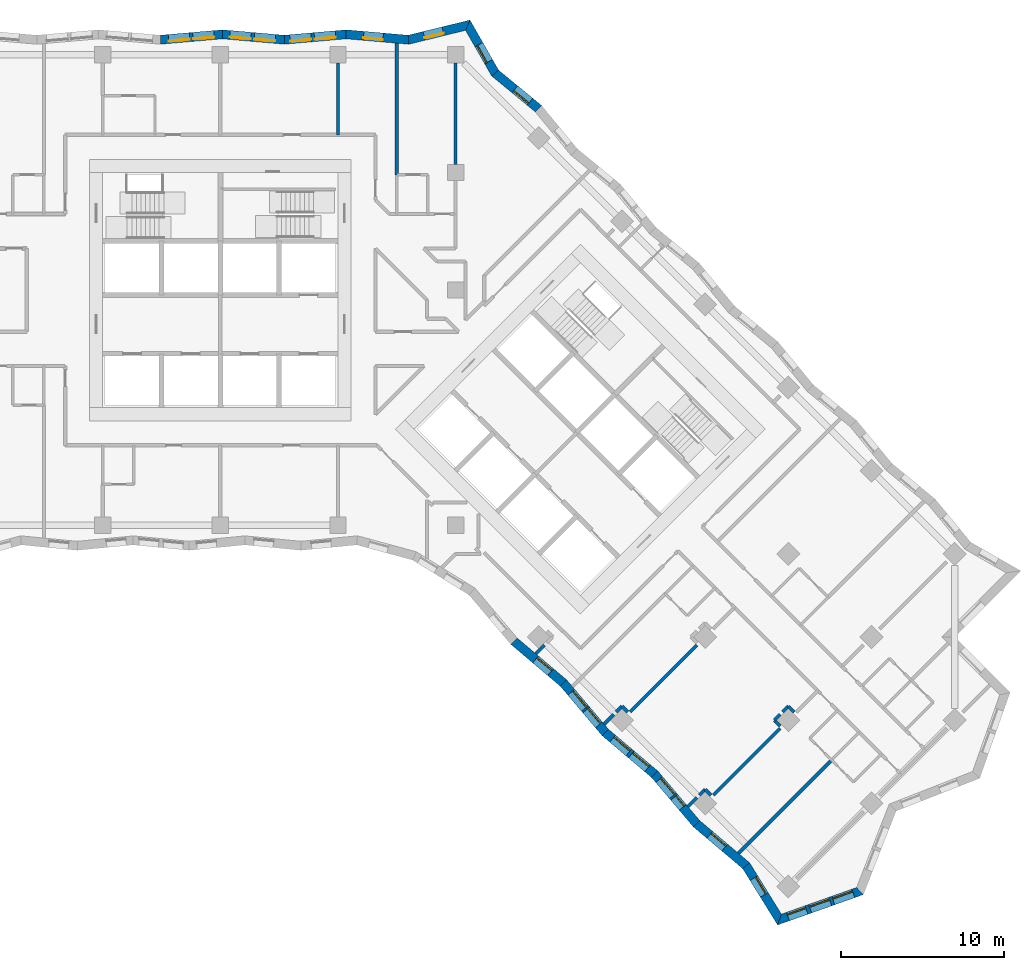
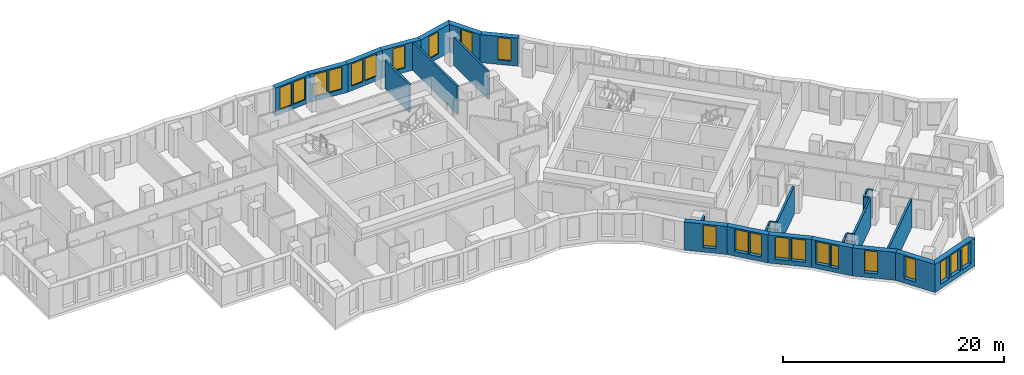
# One storey, part 7 of 12: 31 walls, 22 windows, 22 openings.
"""IFC4 building model written with IfcOpenShell, lengths in metres."""

from ifc_helpers import new_model, si_unit, direction, frame, frame_2d, origin, place, context, subcontext, project, spatial, polyline, rectangle, outline, extrude, material, layer, layer_set, type_object, element, fill, save


model = new_model("IFC4")

# Units and contexts
model_context = context("Model", 3, precision=1e-05, world=origin(), true_north=direction((0.0, 1.0)))
body_context = subcontext(model_context, "Body", "Model", "MODEL_VIEW")
ifc_project = project(units=[si_unit("LENGTHUNIT", "METRE"), si_unit("AREAUNIT", "SQUARE_METRE"), si_unit("VOLUMEUNIT", "CUBIC_METRE"), si_unit("PLANEANGLEUNIT", "RADIAN"), si_unit("MASSUNIT", "GRAM", prefix="KILO")], contexts=[model_context])

# Site, building, storey
site_placement = place(None, origin())
site = spatial("IfcSite", under=ifc_project, at=site_placement, CompositionType="ELEMENT")
building_placement = place(site_placement, origin())
building = spatial("IfcBuilding", under=site, at=building_placement, Name="Windrow Commons", CompositionType="ELEMENT")
storey_placement = place(building_placement, frame((0.0, 0.0, 84.6)))
storey = spatial("IfcBuildingStorey", under=building, at=storey_placement, Name="L22", CompositionType="ELEMENT", Elevation=84.6)

# Wall, openings, windows
ifc_material_1 = material(Name="Brick masonry, red clay brick", Category="masonry")
ifc_layer_1 = layer(ifc_material_1, 0.55)
ifc_layer_set_1 = layer_set([ifc_layer_1], Name="Brick facade wall 550")
wall_type_1 = type_object("IfcWallType", Name="Brick facade wall 550", PredefinedType="SOLIDWALL", material=ifc_layer_set_1)
wall_1_placement = place(storey_placement, frame((99.0243, 19.0669, 0.0), z_axis=(0.0, 0.0, 1.0), x_axis=(0.9426193246, 0.3338694489, 0.0)))
wall_1 = element("IfcWall", 1, at=wall_1_placement, inside=storey, type_object=wall_type_1, Name="Brick facade wall L22 1", PredefinedType="SOLIDWALL", context=body_context, shape_type="SweptSolid", body=[
    extrude(outline(polyline([(-0.2217, -0.275), (5.3537, -0.275), (5.1025, 0.275), (0.2217, 0.275), (-0.2217, -0.275)])), origin(), (0.0, 0.0, 1.0), 3.1),
])
opening_1_placement = place(wall_1_placement, frame((1.9931, 0.0, 0.5)))
opening_1 = element("IfcOpeningElement", 2, at=opening_1_placement, cuts=wall_1, Name="Opening W1P", PredefinedType="OPENING", context=body_context, shape_type="SweptSolid", body=[
    extrude(rectangle(XDim=1.3, YDim=2.45, at=frame_2d((0.65, 1.225))), frame((0.0, 0.285, 0.0), z_axis=(0.0, -1.0, 0.0), x_axis=(1.0, 0.0, 0.0)), (0.0, 0.0, 1.0), 0.57),
])
opening_2_placement = place(wall_1_placement, frame((3.4931, 0.0, 0.5)))
opening_2 = element("IfcOpeningElement", 3, at=opening_2_placement, cuts=wall_1, Name="Opening W1P", PredefinedType="OPENING", context=body_context, shape_type="SweptSolid", body=[
    extrude(rectangle(XDim=1.3, YDim=2.45, at=frame_2d((0.65, 1.225))), frame((0.0, 0.285, 0.0), z_axis=(0.0, -1.0, 0.0), x_axis=(1.0, 0.0, 0.0)), (0.0, 0.0, 1.0), 0.57),
])
opening_3_placement = place(wall_1_placement, frame((0.5528, 0.0, 0.5)))
opening_3 = element("IfcOpeningElement", 4, at=opening_3_placement, cuts=wall_1, Name="Opening W7D", PredefinedType="OPENING", context=body_context, shape_type="SweptSolid", body=[
    extrude(rectangle(XDim=1.2, YDim=2.45, at=frame_2d((0.6, 1.225))), frame((0.0, 0.285, 0.0), z_axis=(0.0, -1.0, 0.0), x_axis=(1.0, 0.0, 0.0)), (0.0, 0.0, 1.0), 0.57),
])
ifc_material_2 = material(Name="Clear float glass in anodised aluminium frame", Category="aluminium")
window_type_1 = type_object("IfcWindowType", Name="Window W1P pair 1300x2450", PartitioningType="SINGLE_PANEL", PredefinedType="WINDOW", material=ifc_material_2)
window_1_placement = place(opening_1_placement, origin())
window_1 = element("IfcWindow", 5, at=window_1_placement, inside=storey, type_object=window_type_1, Name="Window L22 1.1A", OverallHeight=2.45, OverallWidth=1.3, PartitioningType="SINGLE_PANEL", PredefinedType="WINDOW", context=body_context, shape_type="SweptSolid", body=[
    extrude(rectangle(XDim=1.3, YDim=2.45, at=frame_2d((0.65, 1.225))), frame((0.0, 0.155, 0.0), z_axis=(0.0, -1.0, 0.0), x_axis=(1.0, 0.0, 0.0)), (0.0, 0.0, 1.0), 0.06),
])
fill(opening_1, window_1)
window_2_placement = place(opening_2_placement, origin())
window_2 = element("IfcWindow", 6, at=window_2_placement, inside=storey, type_object=window_type_1, Name="Window L22 1.1B", OverallHeight=2.45, OverallWidth=1.3, PartitioningType="SINGLE_PANEL", PredefinedType="WINDOW", context=body_context, shape_type="SweptSolid", body=[
    extrude(rectangle(XDim=1.3, YDim=2.45, at=frame_2d((0.65, 1.225))), frame((0.0, 0.155, 0.0), z_axis=(0.0, -1.0, 0.0), x_axis=(1.0, 0.0, 0.0)), (0.0, 0.0, 1.0), 0.06),
])
fill(opening_2, window_2)
ifc_material_3 = material(Name="Clear float glass in anodised aluminium frame", Category="aluminium")
window_type_2 = type_object("IfcWindowType", Name="Window W7 notch 1200x2450", PartitioningType="SINGLE_PANEL", PredefinedType="WINDOW", material=ifc_material_3)
window_3_placement = place(opening_3_placement, origin())
window_3 = element("IfcWindow", 7, at=window_3_placement, inside=storey, type_object=window_type_2, Name="Window L22 1.2", OverallHeight=2.45, OverallWidth=1.2, PartitioningType="SINGLE_PANEL", PredefinedType="WINDOW", context=body_context, shape_type="SweptSolid", body=[
    extrude(rectangle(XDim=1.2, YDim=2.45, at=frame_2d((0.6, 1.225))), frame((0.0, 0.155, 0.0), z_axis=(0.0, -1.0, 0.0), x_axis=(1.0, 0.0, 0.0)), (0.0, 0.0, 1.0), 0.06),
])
fill(opening_3, window_3)

# Wall, opening, window
wall_2_placement = place(storey_placement, frame((84.2793, 68.6937, 0.0), z_axis=(0.0, 0.0, 1.0), x_axis=(-0.7719972497, 0.6356258698, 0.0)))
wall_2 = element("IfcWall", 8, at=wall_2_placement, inside=storey, type_object=wall_type_1, Name="Brick facade wall L22 19", PredefinedType="SOLIDWALL", context=body_context, shape_type="SweptSolid", body=[
    extrude(outline(polyline([(-0.0266, -0.275), (3.3952, -0.275), (3.4962, 0.275), (0.0266, 0.275), (-0.0266, -0.275)])), origin(), (0.0, 0.0, 1.0), 3.1),
])
opening_4_placement = place(wall_2_placement, frame((0.6835, 0.0, 0.5)))
opening_4 = element("IfcOpeningElement", 9, at=opening_4_placement, cuts=wall_2, Name="Opening W7D", PredefinedType="OPENING", context=body_context, shape_type="SweptSolid", body=[
    extrude(rectangle(XDim=1.2, YDim=2.45, at=frame_2d((0.6, 1.225))), frame((0.0, 0.285, 0.0), z_axis=(0.0, -1.0, 0.0), x_axis=(1.0, 0.0, 0.0)), (0.0, 0.0, 1.0), 0.57),
])
window_4_placement = place(opening_4_placement, origin())
window_4 = element("IfcWindow", 10, at=window_4_placement, inside=storey, type_object=window_type_2, Name="Window L22 19.1", OverallHeight=2.45, OverallWidth=1.2, PartitioningType="SINGLE_PANEL", PredefinedType="WINDOW", context=body_context, shape_type="SweptSolid", body=[
    extrude(rectangle(XDim=1.2, YDim=2.45, at=frame_2d((0.6, 1.225))), frame((0.0, 0.155, 0.0), z_axis=(0.0, -1.0, 0.0), x_axis=(1.0, 0.0, 0.0)), (0.0, 0.0, 1.0), 0.06),
])
fill(opening_4, window_4)

wall_3_placement = place(storey_placement, frame((81.6192, 70.8839, 0.0), z_axis=(0.0, 0.0, 1.0), x_axis=(-0.4958579937, 0.8684036217, 0.0)))
wall_3 = element("IfcWall", 11, at=wall_3_placement, inside=storey, type_object=wall_type_1, Name="Brick facade wall L22 20", PredefinedType="SOLIDWALL", context=body_context, shape_type="SweptSolid", body=[
    extrude(outline(polyline([(0.0505, -0.275), (3.5811, -0.275), (3.1661, 0.275), (-0.0505, 0.275), (0.0505, -0.275)])), origin(), (0.0, 0.0, 1.0), 3.1),
])
opening_5_placement = place(wall_3_placement, frame((0.7957, 0.0, 0.5)))
opening_5 = element("IfcOpeningElement", 12, at=opening_5_placement, cuts=wall_3, Name="Opening W7D", PredefinedType="OPENING", context=body_context, shape_type="SweptSolid", body=[
    extrude(rectangle(XDim=1.2, YDim=2.45, at=frame_2d((0.6, 1.225))), frame((0.0, 0.285, 0.0), z_axis=(0.0, -1.0, 0.0), x_axis=(1.0, 0.0, 0.0)), (0.0, 0.0, 1.0), 0.57),
])
window_5_placement = place(opening_5_placement, origin())
window_5 = element("IfcWindow", 13, at=window_5_placement, inside=storey, type_object=window_type_2, Name="Window L22 20.1", OverallHeight=2.45, OverallWidth=1.2, PartitioningType="SINGLE_PANEL", PredefinedType="WINDOW", context=body_context, shape_type="SweptSolid", body=[
    extrude(rectangle(XDim=1.2, YDim=2.45, at=frame_2d((0.6, 1.225))), frame((0.0, 0.155, 0.0), z_axis=(0.0, -1.0, 0.0), x_axis=(1.0, 0.0, 0.0)), (0.0, 0.0, 1.0), 0.06),
])
fill(opening_5, window_5)

wall_4_placement = place(storey_placement, frame((79.9464, 73.8135, 0.0), z_axis=(0.0, 0.0, 1.0), x_axis=(-0.9711611998, -0.2384238325, 0.0)))
wall_4 = element("IfcWall", 14, at=wall_4_placement, inside=storey, type_object=wall_type_1, Name="Brick facade wall L22 21", PredefinedType="SOLIDWALL", context=body_context, shape_type="SweptSolid", body=[
    extrude(outline(polyline([(-0.2075, -0.275), (3.6933, -0.275), (3.7842, 0.275), (0.2075, 0.275), (-0.2075, -0.275)])), origin(), (0.0, 0.0, 1.0), 3.1),
])
opening_6_placement = place(wall_4_placement, frame((1.5536, 0.0, 0.5)))
opening_6 = element("IfcOpeningElement", 15, at=opening_6_placement, cuts=wall_4, Name="Opening W7D", PredefinedType="OPENING", context=body_context, shape_type="SweptSolid", body=[
    extrude(rectangle(XDim=1.2, YDim=2.45, at=frame_2d((0.6, 1.225))), frame((0.0, 0.285, 0.0), z_axis=(0.0, -1.0, 0.0), x_axis=(1.0, 0.0, 0.0)), (0.0, 0.0, 1.0), 0.57),
])
window_6_placement = place(opening_6_placement, origin())
window_6 = element("IfcWindow", 16, at=window_6_placement, inside=storey, type_object=window_type_2, Name="Window L22 21.1", OverallHeight=2.45, OverallWidth=1.2, PartitioningType="SINGLE_PANEL", PredefinedType="WINDOW", context=body_context, shape_type="SweptSolid", body=[
    extrude(rectangle(XDim=1.2, YDim=2.45, at=frame_2d((0.6, 1.225))), frame((0.0, 0.155, 0.0), z_axis=(0.0, -1.0, 0.0), x_axis=(1.0, 0.0, 0.0)), (0.0, 0.0, 1.0), 0.06),
])
fill(opening_6, window_6)

wall_5_placement = place(storey_placement, frame((76.3155, 72.9221, 0.0), z_axis=(0.0, 0.0, 1.0), x_axis=(-0.9962265436, 0.0867909782, 0.0)))
wall_5 = element("IfcWall", 17, at=wall_5_placement, inside=storey, type_object=wall_type_1, Name="Brick facade wall L22 22", PredefinedType="SOLIDWALL", context=body_context, shape_type="SweptSolid", body=[
    extrude(outline(polyline([(0.0455, -0.275), (3.8481, -0.275), (3.8002, 0.275), (-0.0455, 0.275), (0.0455, -0.275)])), origin(), (0.0, 0.0, 1.0), 3.1),
])
opening_7_placement = place(wall_5_placement, frame((1.5592, 0.0, 0.5)))
opening_7 = element("IfcOpeningElement", 18, at=opening_7_placement, cuts=wall_5, Name="Opening W7D", PredefinedType="OPENING", context=body_context, shape_type="SweptSolid", body=[
    extrude(rectangle(XDim=1.2, YDim=2.45, at=frame_2d((0.6, 1.225))), frame((0.0, 0.285, 0.0), z_axis=(0.0, -1.0, 0.0), x_axis=(1.0, 0.0, 0.0)), (0.0, 0.0, 1.0), 0.57),
])
window_7_placement = place(opening_7_placement, origin())
window_7 = element("IfcWindow", 19, at=window_7_placement, inside=storey, type_object=window_type_2, Name="Window L22 22.1", OverallHeight=2.45, OverallWidth=1.2, PartitioningType="SINGLE_PANEL", PredefinedType="WINDOW", context=body_context, shape_type="SweptSolid", body=[
    extrude(rectangle(XDim=1.2, YDim=2.45, at=frame_2d((0.6, 1.225))), frame((0.0, 0.155, 0.0), z_axis=(0.0, -1.0, 0.0), x_axis=(1.0, 0.0, 0.0)), (0.0, 0.0, 1.0), 0.06),
])
fill(opening_7, window_7)

# Wall, openings, windows
wall_6_placement = place(storey_placement, frame((72.5058, 73.254, 0.0), z_axis=(0.0, 0.0, 1.0), x_axis=(-0.9962273538, -0.0867816769, 0.0)))
wall_6 = element("IfcWall", 20, at=wall_6_placement, inside=storey, type_object=wall_type_1, Name="Brick facade wall L22 23", PredefinedType="SOLIDWALL", context=body_context, shape_type="SweptSolid", body=[
    extrude(outline(polyline([(-0.024, -0.275), (3.7787, -0.275), (3.8266, 0.275), (0.024, 0.275), (-0.024, -0.275)])), origin(), (0.0, 0.0, 1.0), 3.1),
])
opening_8_placement = place(wall_6_placement, frame((0.6552, 0.0, 0.5)))
opening_8 = element("IfcOpeningElement", 21, at=opening_8_placement, cuts=wall_6, Name="Opening W1P", PredefinedType="OPENING", context=body_context, shape_type="SweptSolid", body=[
    extrude(rectangle(XDim=1.3, YDim=2.45, at=frame_2d((0.65, 1.225))), frame((0.0, 0.285, 0.0), z_axis=(0.0, -1.0, 0.0), x_axis=(1.0, 0.0, 0.0)), (0.0, 0.0, 1.0), 0.57),
])
opening_9_placement = place(wall_6_placement, frame((2.1552, 0.0, 0.5)))
opening_9 = element("IfcOpeningElement", 22, at=opening_9_placement, cuts=wall_6, Name="Opening W1P", PredefinedType="OPENING", context=body_context, shape_type="SweptSolid", body=[
    extrude(rectangle(XDim=1.3, YDim=2.45, at=frame_2d((0.65, 1.225))), frame((0.0, 0.285, 0.0), z_axis=(0.0, -1.0, 0.0), x_axis=(1.0, 0.0, 0.0)), (0.0, 0.0, 1.0), 0.57),
])
window_8_placement = place(opening_8_placement, origin())
window_8 = element("IfcWindow", 23, at=window_8_placement, inside=storey, type_object=window_type_1, Name="Window L22 23.1A", OverallHeight=2.45, OverallWidth=1.3, PartitioningType="SINGLE_PANEL", PredefinedType="WINDOW", context=body_context, shape_type="SweptSolid", body=[
    extrude(rectangle(XDim=1.3, YDim=2.45, at=frame_2d((0.65, 1.225))), frame((0.0, 0.155, 0.0), z_axis=(0.0, -1.0, 0.0), x_axis=(1.0, 0.0, 0.0)), (0.0, 0.0, 1.0), 0.06),
])
fill(opening_8, window_8)
window_9_placement = place(opening_9_placement, origin())
window_9 = element("IfcWindow", 24, at=window_9_placement, inside=storey, type_object=window_type_1, Name="Window L22 23.1B", OverallHeight=2.45, OverallWidth=1.3, PartitioningType="SINGLE_PANEL", PredefinedType="WINDOW", context=body_context, shape_type="SweptSolid", body=[
    extrude(rectangle(XDim=1.3, YDim=2.45, at=frame_2d((0.65, 1.225))), frame((0.0, 0.155, 0.0), z_axis=(0.0, -1.0, 0.0), x_axis=(1.0, 0.0, 0.0)), (0.0, 0.0, 1.0), 0.06),
])
fill(opening_9, window_9)

wall_7_placement = place(storey_placement, frame((68.7175, 72.924, 0.0), z_axis=(0.0, 0.0, 1.0), x_axis=(-0.9962273538, 0.0867816769, 0.0)))
wall_7 = element("IfcWall", 25, at=wall_7_placement, inside=storey, type_object=wall_type_1, Name="Brick facade wall L22 24", PredefinedType="SOLIDWALL", context=body_context, shape_type="SweptSolid", body=[
    extrude(outline(polyline([(0.024, -0.275), (3.8266, -0.275), (3.7787, 0.275), (-0.024, 0.275), (0.024, -0.275)])), origin(), (0.0, 0.0, 1.0), 3.1),
])
opening_10_placement = place(wall_7_placement, frame((0.5487, 0.0, 0.5)))
opening_10 = element("IfcOpeningElement", 26, at=opening_10_placement, cuts=wall_7, Name="Opening W1P", PredefinedType="OPENING", context=body_context, shape_type="SweptSolid", body=[
    extrude(rectangle(XDim=1.3, YDim=2.45, at=frame_2d((0.65, 1.225))), frame((0.0, 0.285, 0.0), z_axis=(0.0, -1.0, 0.0), x_axis=(1.0, 0.0, 0.0)), (0.0, 0.0, 1.0), 0.57),
])
opening_11_placement = place(wall_7_placement, frame((2.0487, 0.0, 0.5)))
opening_11 = element("IfcOpeningElement", 27, at=opening_11_placement, cuts=wall_7, Name="Opening W1P", PredefinedType="OPENING", context=body_context, shape_type="SweptSolid", body=[
    extrude(rectangle(XDim=1.3, YDim=2.45, at=frame_2d((0.65, 1.225))), frame((0.0, 0.285, 0.0), z_axis=(0.0, -1.0, 0.0), x_axis=(1.0, 0.0, 0.0)), (0.0, 0.0, 1.0), 0.57),
])
window_10_placement = place(opening_10_placement, origin())
window_10 = element("IfcWindow", 28, at=window_10_placement, inside=storey, type_object=window_type_1, Name="Window L22 24.1A", OverallHeight=2.45, OverallWidth=1.3, PartitioningType="SINGLE_PANEL", PredefinedType="WINDOW", context=body_context, shape_type="SweptSolid", body=[
    extrude(rectangle(XDim=1.3, YDim=2.45, at=frame_2d((0.65, 1.225))), frame((0.0, 0.155, 0.0), z_axis=(0.0, -1.0, 0.0), x_axis=(1.0, 0.0, 0.0)), (0.0, 0.0, 1.0), 0.06),
])
fill(opening_10, window_10)
window_11_placement = place(opening_11_placement, origin())
window_11 = element("IfcWindow", 29, at=window_11_placement, inside=storey, type_object=window_type_1, Name="Window L22 24.1B", OverallHeight=2.45, OverallWidth=1.3, PartitioningType="SINGLE_PANEL", PredefinedType="WINDOW", context=body_context, shape_type="SweptSolid", body=[
    extrude(rectangle(XDim=1.3, YDim=2.45, at=frame_2d((0.65, 1.225))), frame((0.0, 0.155, 0.0), z_axis=(0.0, -1.0, 0.0), x_axis=(1.0, 0.0, 0.0)), (0.0, 0.0, 1.0), 0.06),
])
fill(opening_11, window_11)

wall_8_placement = place(storey_placement, frame((64.9292, 73.254, 0.0), z_axis=(0.0, 0.0, 1.0), x_axis=(-0.9962271558, -0.0867839505, 0.0)))
wall_8 = element("IfcWall", 30, at=wall_8_placement, inside=storey, type_object=wall_type_1, Name="Brick facade wall L22 25", PredefinedType="SOLIDWALL", context=body_context, shape_type="SweptSolid", body=[
    extrude(outline(polyline([(-0.024, -0.275), (3.7787, -0.275), (3.8266, 0.275), (0.024, 0.275), (-0.024, -0.275)])), origin(), (0.0, 0.0, 1.0), 3.1),
])
opening_12_placement = place(wall_8_placement, frame((0.5133, 0.0, 0.5)))
opening_12 = element("IfcOpeningElement", 31, at=opening_12_placement, cuts=wall_8, Name="Opening W1P", PredefinedType="OPENING", context=body_context, shape_type="SweptSolid", body=[
    extrude(rectangle(XDim=1.3, YDim=2.45, at=frame_2d((0.65, 1.225))), frame((0.0, 0.285, 0.0), z_axis=(0.0, -1.0, 0.0), x_axis=(1.0, 0.0, 0.0)), (0.0, 0.0, 1.0), 0.57),
])
opening_13_placement = place(wall_8_placement, frame((2.0133, 0.0, 0.5)))
opening_13 = element("IfcOpeningElement", 32, at=opening_13_placement, cuts=wall_8, Name="Opening W1P", PredefinedType="OPENING", context=body_context, shape_type="SweptSolid", body=[
    extrude(rectangle(XDim=1.3, YDim=2.45, at=frame_2d((0.65, 1.225))), frame((0.0, 0.285, 0.0), z_axis=(0.0, -1.0, 0.0), x_axis=(1.0, 0.0, 0.0)), (0.0, 0.0, 1.0), 0.57),
])
window_12_placement = place(opening_12_placement, origin())
window_12 = element("IfcWindow", 33, at=window_12_placement, inside=storey, type_object=window_type_1, Name="Window L22 25.1A", OverallHeight=2.45, OverallWidth=1.3, PartitioningType="SINGLE_PANEL", PredefinedType="WINDOW", context=body_context, shape_type="SweptSolid", body=[
    extrude(rectangle(XDim=1.3, YDim=2.45, at=frame_2d((0.65, 1.225))), frame((0.0, 0.155, 0.0), z_axis=(0.0, -1.0, 0.0), x_axis=(1.0, 0.0, 0.0)), (0.0, 0.0, 1.0), 0.06),
])
fill(opening_12, window_12)
window_13_placement = place(opening_13_placement, origin())
window_13 = element("IfcWindow", 34, at=window_13_placement, inside=storey, type_object=window_type_1, Name="Window L22 25.1B", OverallHeight=2.45, OverallWidth=1.3, PartitioningType="SINGLE_PANEL", PredefinedType="WINDOW", context=body_context, shape_type="SweptSolid", body=[
    extrude(rectangle(XDim=1.3, YDim=2.45, at=frame_2d((0.65, 1.225))), frame((0.0, 0.155, 0.0), z_axis=(0.0, -1.0, 0.0), x_axis=(1.0, 0.0, 0.0)), (0.0, 0.0, 1.0), 0.06),
])
fill(opening_13, window_13)

# Wall, opening, window
wall_9_placement = place(storey_placement, frame((82.7742, 36.1053, 0.0), z_axis=(0.0, 0.0, 1.0), x_axis=(0.7635423019, -0.6457578131, 0.0)))
wall_9 = element("IfcWall", 35, at=wall_9_placement, inside=storey, type_object=wall_type_1, Name="Brick facade wall L22 54", PredefinedType="SOLIDWALL", context=body_context, shape_type="SweptSolid", body=[
    extrude(outline(polyline([(-0.023, -0.275), (3.9393, -0.275), (3.9853, 0.275), (0.023, 0.275), (-0.023, -0.275)])), origin(), (0.0, 0.0, 1.0), 3.1),
])
opening_14_placement = place(wall_9_placement, frame((1.7284, 0.0, 0.5)))
opening_14 = element("IfcOpeningElement", 36, at=opening_14_placement, cuts=wall_9, Name="Opening W7D", PredefinedType="OPENING", context=body_context, shape_type="SweptSolid", body=[
    extrude(rectangle(XDim=1.2, YDim=2.45, at=frame_2d((0.6, 1.225))), frame((0.0, 0.285, 0.0), z_axis=(0.0, -1.0, 0.0), x_axis=(1.0, 0.0, 0.0)), (0.0, 0.0, 1.0), 0.57),
])
window_14_placement = place(opening_14_placement, origin())
window_14 = element("IfcWindow", 37, at=window_14_placement, inside=storey, type_object=window_type_2, Name="Window L22 54.1", OverallHeight=2.45, OverallWidth=1.2, PartitioningType="SINGLE_PANEL", PredefinedType="WINDOW", context=body_context, shape_type="SweptSolid", body=[
    extrude(rectangle(XDim=1.2, YDim=2.45, at=frame_2d((0.6, 1.225))), frame((0.0, 0.155, 0.0), z_axis=(0.0, -1.0, 0.0), x_axis=(1.0, 0.0, 0.0)), (0.0, 0.0, 1.0), 0.06),
])
fill(opening_14, window_14)

# Wall, openings, windows
wall_10_placement = place(storey_placement, frame((85.7996, 33.5466, 0.0), z_axis=(0.0, 0.0, 1.0), x_axis=(0.6457578131, -0.7635423019, 0.0)))
wall_10 = element("IfcWall", 38, at=wall_10_placement, inside=storey, type_object=wall_type_1, Name="Brick facade wall L22 55", PredefinedType="SOLIDWALL", context=body_context, shape_type="SweptSolid", body=[
    extrude(outline(polyline([(0.023, -0.275), (3.9853, -0.275), (3.9393, 0.275), (-0.023, 0.275), (0.023, -0.275)])), origin(), (0.0, 0.0, 1.0), 3.1),
])
opening_15_placement = place(wall_10_placement, frame((0.742, 0.0, 0.5)))
opening_15 = element("IfcOpeningElement", 39, at=opening_15_placement, cuts=wall_10, Name="Opening W1P", PredefinedType="OPENING", context=body_context, shape_type="SweptSolid", body=[
    extrude(rectangle(XDim=1.3, YDim=2.45, at=frame_2d((0.65, 1.225))), frame((0.0, 0.285, 0.0), z_axis=(0.0, -1.0, 0.0), x_axis=(1.0, 0.0, 0.0)), (0.0, 0.0, 1.0), 0.57),
])
opening_16_placement = place(wall_10_placement, frame((2.1615, 0.0, 0.5)))
opening_16 = element("IfcOpeningElement", 40, at=opening_16_placement, cuts=wall_10, Name="Opening W7D", PredefinedType="OPENING", context=body_context, shape_type="SweptSolid", body=[
    extrude(rectangle(XDim=1.2, YDim=2.45, at=frame_2d((0.6, 1.225))), frame((0.0, 0.285, 0.0), z_axis=(0.0, -1.0, 0.0), x_axis=(1.0, 0.0, 0.0)), (0.0, 0.0, 1.0), 0.57),
])
window_15_placement = place(opening_15_placement, origin())
window_15 = element("IfcWindow", 41, at=window_15_placement, inside=storey, type_object=window_type_1, Name="Window L22 55.1A", OverallHeight=2.45, OverallWidth=1.3, PartitioningType="SINGLE_PANEL", PredefinedType="WINDOW", context=body_context, shape_type="SweptSolid", body=[
    extrude(rectangle(XDim=1.3, YDim=2.45, at=frame_2d((0.65, 1.225))), frame((0.0, 0.155, 0.0), z_axis=(0.0, -1.0, 0.0), x_axis=(1.0, 0.0, 0.0)), (0.0, 0.0, 1.0), 0.06),
])
fill(opening_15, window_15)
window_16_placement = place(opening_16_placement, origin())
window_16 = element("IfcWindow", 42, at=window_16_placement, inside=storey, type_object=window_type_2, Name="Window L22 55.1BA", OverallHeight=2.45, OverallWidth=1.2, PartitioningType="SINGLE_PANEL", PredefinedType="WINDOW", context=body_context, shape_type="SweptSolid", body=[
    extrude(rectangle(XDim=1.2, YDim=2.45, at=frame_2d((0.6, 1.225))), frame((0.0, 0.155, 0.0), z_axis=(0.0, -1.0, 0.0), x_axis=(1.0, 0.0, 0.0)), (0.0, 0.0, 1.0), 0.06),
])
fill(opening_16, window_16)

wall_11_placement = place(storey_placement, frame((88.3583, 30.5212, 0.0), z_axis=(0.0, 0.0, 1.0), x_axis=(0.7635547458, -0.6457430993, 0.0)))
wall_11 = element("IfcWall", 43, at=wall_11_placement, inside=storey, type_object=wall_type_1, Name="Brick facade wall L22 56", PredefinedType="SOLIDWALL", context=body_context, shape_type="SweptSolid", body=[
    extrude(outline(polyline([(-0.023, -0.275), (3.9393, -0.275), (3.9853, 0.275), (0.023, 0.275), (-0.023, -0.275)])), origin(), (0.0, 0.0, 1.0), 3.1),
])
opening_17_placement = place(wall_11_placement, frame((0.5926, 0.0, 0.5)))
opening_17 = element("IfcOpeningElement", 44, at=opening_17_placement, cuts=wall_11, Name="Opening W1P", PredefinedType="OPENING", context=body_context, shape_type="SweptSolid", body=[
    extrude(rectangle(XDim=1.3, YDim=2.45, at=frame_2d((0.65, 1.225))), frame((0.0, 0.285, 0.0), z_axis=(0.0, -1.0, 0.0), x_axis=(1.0, 0.0, 0.0)), (0.0, 0.0, 1.0), 0.57),
])
opening_18_placement = place(wall_11_placement, frame((2.0926, 0.0, 0.5)))
opening_18 = element("IfcOpeningElement", 45, at=opening_18_placement, cuts=wall_11, Name="Opening W1P", PredefinedType="OPENING", context=body_context, shape_type="SweptSolid", body=[
    extrude(rectangle(XDim=1.3, YDim=2.45, at=frame_2d((0.65, 1.225))), frame((0.0, 0.285, 0.0), z_axis=(0.0, -1.0, 0.0), x_axis=(1.0, 0.0, 0.0)), (0.0, 0.0, 1.0), 0.57),
])
window_17_placement = place(opening_17_placement, origin())
window_17 = element("IfcWindow", 46, at=window_17_placement, inside=storey, type_object=window_type_1, Name="Window L22 56.1A", OverallHeight=2.45, OverallWidth=1.3, PartitioningType="SINGLE_PANEL", PredefinedType="WINDOW", context=body_context, shape_type="SweptSolid", body=[
    extrude(rectangle(XDim=1.3, YDim=2.45, at=frame_2d((0.65, 1.225))), frame((0.0, 0.155, 0.0), z_axis=(0.0, -1.0, 0.0), x_axis=(1.0, 0.0, 0.0)), (0.0, 0.0, 1.0), 0.06),
])
fill(opening_17, window_17)
window_18_placement = place(opening_18_placement, origin())
window_18 = element("IfcWindow", 47, at=window_18_placement, inside=storey, type_object=window_type_1, Name="Window L22 56.1B", OverallHeight=2.45, OverallWidth=1.3, PartitioningType="SINGLE_PANEL", PredefinedType="WINDOW", context=body_context, shape_type="SweptSolid", body=[
    extrude(rectangle(XDim=1.3, YDim=2.45, at=frame_2d((0.65, 1.225))), frame((0.0, 0.155, 0.0), z_axis=(0.0, -1.0, 0.0), x_axis=(1.0, 0.0, 0.0)), (0.0, 0.0, 1.0), 0.06),
])
fill(opening_18, window_18)

wall_12_placement = place(storey_placement, frame((91.3837, 27.9626, 0.0), z_axis=(0.0, 0.0, 1.0), x_axis=(0.6457578131, -0.7635423019, 0.0)))
wall_12 = element("IfcWall", 48, at=wall_12_placement, inside=storey, type_object=wall_type_1, Name="Brick facade wall L22 57", PredefinedType="SOLIDWALL", context=body_context, shape_type="SweptSolid", body=[
    extrude(outline(polyline([(0.023, -0.275), (3.9853, -0.275), (3.9393, 0.275), (-0.023, 0.275), (0.023, -0.275)])), origin(), (0.0, 0.0, 1.0), 3.1),
])
opening_19_placement = place(wall_12_placement, frame((0.4288, 0.0, 0.5)))
opening_19 = element("IfcOpeningElement", 49, at=opening_19_placement, cuts=wall_12, Name="Opening W1P", PredefinedType="OPENING", context=body_context, shape_type="SweptSolid", body=[
    extrude(rectangle(XDim=1.3, YDim=2.45, at=frame_2d((0.65, 1.225))), frame((0.0, 0.285, 0.0), z_axis=(0.0, -1.0, 0.0), x_axis=(1.0, 0.0, 0.0)), (0.0, 0.0, 1.0), 0.57),
])
opening_20_placement = place(wall_12_placement, frame((1.8549, 0.0, 0.45)))
opening_20 = element("IfcOpeningElement", 50, at=opening_20_placement, cuts=wall_12, Name="Opening W1N", PredefinedType="OPENING", context=body_context, shape_type="SweptSolid", body=[
    extrude(rectangle(XDim=0.8, YDim=2.5, at=frame_2d((0.4, 1.25))), frame((0.0, 0.285, 0.0), z_axis=(0.0, -1.0, 0.0), x_axis=(1.0, 0.0, 0.0)), (0.0, 0.0, 1.0), 0.57),
])
ifc_material_4 = material(Name="Clear float glass in anodised aluminium frame", Category="aluminium")
window_type_3 = type_object("IfcWindowType", Name="Window W1N slit 800x2500", PartitioningType="SINGLE_PANEL", PredefinedType="WINDOW", material=ifc_material_4)
window_19_placement = place(opening_20_placement, origin())
window_19 = element("IfcWindow", 51, at=window_19_placement, inside=storey, type_object=window_type_3, Name="Window L22 57.1BA", OverallHeight=2.5, OverallWidth=0.8, PartitioningType="SINGLE_PANEL", PredefinedType="WINDOW", context=body_context, shape_type="SweptSolid", body=[
    extrude(rectangle(XDim=0.8, YDim=2.5, at=frame_2d((0.4, 1.25))), frame((0.0, 0.155, 0.0), z_axis=(0.0, -1.0, 0.0), x_axis=(1.0, 0.0, 0.0)), (0.0, 0.0, 1.0), 0.06),
])
fill(opening_20, window_19)
window_20_placement = place(opening_19_placement, origin())
window_20 = element("IfcWindow", 52, at=window_20_placement, inside=storey, type_object=window_type_1, Name="Window L22 57.1A", OverallHeight=2.45, OverallWidth=1.3, PartitioningType="SINGLE_PANEL", PredefinedType="WINDOW", context=body_context, shape_type="SweptSolid", body=[
    extrude(rectangle(XDim=1.3, YDim=2.45, at=frame_2d((0.65, 1.225))), frame((0.0, 0.155, 0.0), z_axis=(0.0, -1.0, 0.0), x_axis=(1.0, 0.0, 0.0)), (0.0, 0.0, 1.0), 0.06),
])
fill(opening_19, window_20)

# Wall, opening, window
wall_13_placement = place(storey_placement, frame((93.9424, 24.9372, 0.0), z_axis=(0.0, 0.0, 1.0), x_axis=(0.7635272124, -0.6457756545, 0.0)))
wall_13 = element("IfcWall", 53, at=wall_13_placement, inside=storey, type_object=wall_type_1, Name="Brick facade wall L22 58", PredefinedType="SOLIDWALL", context=body_context, shape_type="SweptSolid", body=[
    extrude(outline(polyline([(-0.023, -0.275), (3.9393, -0.275), (4.0266, 0.275), (0.023, 0.275), (-0.023, -0.275)])), origin(), (0.0, 0.0, 1.0), 3.1),
])
opening_21_placement = place(wall_13_placement, frame((1.0654, 0.0, 0.5)))
opening_21 = element("IfcOpeningElement", 54, at=opening_21_placement, cuts=wall_13, Name="Opening W7D", PredefinedType="OPENING", context=body_context, shape_type="SweptSolid", body=[
    extrude(rectangle(XDim=1.2, YDim=2.45, at=frame_2d((0.6, 1.225))), frame((0.0, 0.285, 0.0), z_axis=(0.0, -1.0, 0.0), x_axis=(1.0, 0.0, 0.0)), (0.0, 0.0, 1.0), 0.57),
])
window_21_placement = place(opening_21_placement, origin())
window_21 = element("IfcWindow", 55, at=window_21_placement, inside=storey, type_object=window_type_2, Name="Window L22 58.1", OverallHeight=2.45, OverallWidth=1.2, PartitioningType="SINGLE_PANEL", PredefinedType="WINDOW", context=body_context, shape_type="SweptSolid", body=[
    extrude(rectangle(XDim=1.2, YDim=2.45, at=frame_2d((0.6, 1.225))), frame((0.0, 0.155, 0.0), z_axis=(0.0, -1.0, 0.0), x_axis=(1.0, 0.0, 0.0)), (0.0, 0.0, 1.0), 0.06),
])
fill(opening_21, window_21)

wall_14_placement = place(storey_placement, frame((96.9835, 22.3651, 0.0), z_axis=(0.0, 0.0, 1.0), x_axis=(0.5261788565, -0.8503739242, 0.0)))
wall_14 = element("IfcWall", 56, at=wall_14_placement, inside=storey, type_object=wall_type_1, Name="Brick facade wall L22 59", PredefinedType="SOLIDWALL", context=body_context, shape_type="SweptSolid", body=[
    extrude(outline(polyline([(0.0436, -0.275), (4.1002, -0.275), (3.6568, 0.275), (-0.0436, 0.275), (0.0436, -0.275)])), origin(), (0.0, 0.0, 1.0), 3.1),
])
opening_22_placement = place(wall_14_placement, frame((0.9013, 0.0, 0.5)))
opening_22 = element("IfcOpeningElement", 57, at=opening_22_placement, cuts=wall_14, Name="Opening W7D", PredefinedType="OPENING", context=body_context, shape_type="SweptSolid", body=[
    extrude(rectangle(XDim=1.2, YDim=2.45, at=frame_2d((0.6, 1.225))), frame((0.0, 0.285, 0.0), z_axis=(0.0, -1.0, 0.0), x_axis=(1.0, 0.0, 0.0)), (0.0, 0.0, 1.0), 0.57),
])
window_22_placement = place(opening_22_placement, origin())
window_22 = element("IfcWindow", 58, at=window_22_placement, inside=storey, type_object=window_type_2, Name="Window L22 59.1", OverallHeight=2.45, OverallWidth=1.2, PartitioningType="SINGLE_PANEL", PredefinedType="WINDOW", context=body_context, shape_type="SweptSolid", body=[
    extrude(rectangle(XDim=1.2, YDim=2.45, at=frame_2d((0.6, 1.225))), frame((0.0, 0.155, 0.0), z_axis=(0.0, -1.0, 0.0), x_axis=(1.0, 0.0, 0.0)), (0.0, 0.0, 1.0), 0.06),
])
fill(opening_22, window_22)

# Walls
ifc_material_5 = material(Name="Blockwork partition", Category="masonry")
ifc_layer_2 = layer(ifc_material_5, 0.2)
ifc_layer_set_2 = layer_set([ifc_layer_2], Name="IW-PARTY-200")
wall_type_2 = type_object("IfcWallType", Name="IW-PARTY-200", PredefinedType="PARTITIONING", material=ifc_layer_set_2)
wall_15_placement = place(storey_placement, frame((96.5134, 23.1229, 0.0), z_axis=(0.0, 0.0, 1.0), x_axis=(0.7069766463, 0.7072368922, 0.0)))
element("IfcWall", 59, at=wall_15_placement, inside=storey, type_object=wall_type_2, Name="W-L22-W015", PredefinedType="PARTITIONING", context=body_context, shape_type="SweptSolid", body=[
    extrude(rectangle(XDim=8.0693, YDim=0.2, at=frame_2d((4.0347, 0.0))), origin(), (0.0, 0.0, 1.0), 3.1),
])
wall_16_placement = place(storey_placement, frame((75.6, 64.65, 0.0), z_axis=(0.0, 0.0, 1.0), x_axis=(0.0, 1.0, 0.0)))
element("IfcWall", 60, at=wall_16_placement, inside=storey, type_object=wall_type_2, Name="W-L22-W017", PredefinedType="PARTITIONING", context=body_context, shape_type="SweptSolid", body=[
    extrude(rectangle(XDim=8.0584, YDim=0.2, at=frame_2d((4.0292, 0.0))), origin(), (0.0, 0.0, 1.0), 3.1),
])
wall_17_placement = place(storey_placement, frame((79.2, 65.3, 0.0), z_axis=(0.0, 0.0, 1.0), x_axis=(0.0, 1.0, 0.0)))
element("IfcWall", 61, at=wall_17_placement, inside=storey, type_object=wall_type_2, Name="W-L22-W026", PredefinedType="PARTITIONING", context=body_context, shape_type="SweptSolid", body=[
    extrude(rectangle(XDim=6.2, YDim=0.2, at=frame_2d((3.1, 0.0))), origin(), (0.0, 0.0, 1.0), 3.1),
])
wall_18_placement = place(storey_placement, frame((89.881, 31.771, 0.0), z_axis=(0.0, 0.0, 1.0), x_axis=(0.7071067812, 0.7071067812, 0.0)))
element("IfcWall", 62, at=wall_18_placement, inside=storey, type_object=wall_type_2, Name="W-L22-W029", PredefinedType="PARTITIONING", context=body_context, shape_type="SweptSolid", body=[
    extrude(rectangle(XDim=5.787, YDim=0.2, at=frame_2d((2.8935, 0.0))), origin(), (0.0, 0.0, 1.0), 3.1),
])
wall_19_placement = place(storey_placement, frame((94.9732, 26.6808, 0.0), z_axis=(0.0, 0.0, 1.0), x_axis=(0.7071067812, 0.7071067812, 0.0)))
element("IfcWall", 63, at=wall_19_placement, inside=storey, type_object=wall_type_2, Name="W-L22-W032", PredefinedType="PARTITIONING", context=body_context, shape_type="SweptSolid", body=[
    extrude(rectangle(XDim=5.7841, YDim=0.2, at=frame_2d((2.892, 0.0))), origin(), (0.0, 0.0, 1.0), 3.1),
])
wall_20_placement = place(storey_placement, frame((72.0, 67.1, 0.0), z_axis=(0.0, 0.0, 1.0), x_axis=(0.0, 1.0, 0.0)))
element("IfcWall", 64, at=wall_20_placement, inside=storey, type_object=wall_type_2, Name="W-L22-W046", PredefinedType="PARTITIONING", context=body_context, shape_type="SweptSolid", body=[
    extrude(rectangle(XDim=4.4, YDim=0.2, at=frame_2d((2.2, 0.0))), origin(), (0.0, 0.0, 1.0), 3.1),
])
wall_21_placement = place(storey_placement, frame((88.2897, 31.0282, 0.0), z_axis=(0.0, 0.0, 1.0), x_axis=(0.7071664955, 0.7070470619, 0.0)))
element("IfcWall", 65, at=wall_21_placement, inside=storey, type_object=wall_type_2, Name="W-L22-W154", PredefinedType="PARTITIONING", context=body_context, shape_type="SweptSolid", body=[
    extrude(rectangle(XDim=0.8373, YDim=0.2, at=frame_2d((0.4187, 0.0))), origin(), (0.0, 0.0, 1.0), 3.1),
])
wall_22_placement = place(storey_placement, frame((93.4221, 25.9782, 0.0), z_axis=(0.0, 0.0, 1.0), x_axis=(0.707042595, 0.7071709615, 0.0)))
element("IfcWall", 66, at=wall_22_placement, inside=storey, type_object=wall_type_2, Name="W-L22-W155", PredefinedType="PARTITIONING", context=body_context, shape_type="SweptSolid", body=[
    extrude(rectangle(XDim=0.779, YDim=0.2, at=frame_2d((0.3895, 0.0))), origin(), (0.0, 0.0, 1.0), 3.1),
])
wall_23_placement = place(storey_placement, frame((84.1111, 35.3348, 0.0), z_axis=(0.0, 0.0, 1.0), x_axis=(0.7070398235, 0.7071737325, 0.0)))
element("IfcWall", 67, at=wall_23_placement, inside=storey, type_object=wall_type_2, Name="W-L22-W157", PredefinedType="PARTITIONING", context=body_context, shape_type="SweptSolid", body=[
    extrude(rectangle(XDim=0.7468, YDim=0.2, at=frame_2d((0.3734, 0.0))), origin(), (0.0, 0.0, 1.0), 3.1),
])
wall_24_placement = place(storey_placement, frame((98.7088, 31.2648, 0.0), z_axis=(0.0, 0.0, 1.0), x_axis=(0.7051008166, -0.7091070712, 0.0)))
element("IfcWall", 68, at=wall_24_placement, inside=storey, type_object=wall_type_2, Name="W-L22-W161", PredefinedType="PARTITIONING", context=body_context, shape_type="SweptSolid", body=[
    extrude(rectangle(XDim=0.4992, YDim=0.2, at=frame_2d((0.2496, 0.0))), origin(), (0.0, 0.0, 1.0), 3.1),
])
for number, where, z_axis, x_axis, name in (
    (69, (99.5688, 32.1228, 0.0), (0.0, 0.0, 1.0), (0.7071067812, -0.7071067812, 0.0), "W-L22-W162"),
    (70, (94.4776, 27.0316, 0.0), (0.0, 0.0, 1.0), (0.7071067812, -0.7071067812, 0.0), "W-L22-W164"),
    (71, (94.1249, 26.6811, 0.0), (0.0, 0.0, 1.0), (0.7071067812, 0.7071067812, 0.0), "W-L22-W166"),
    (72, (99.2149, 31.7711, 0.0), (0.0, 0.0, 1.0), (0.7071067812, 0.7071067812, 0.0), "W-L22-W167"),
    (73, (89.3866, 32.1226, 0.0), (0.0, 0.0, 1.0), (0.7071067812, -0.7071067812, 0.0), "W-L22-W168"),
    (74, (89.0328, 31.7712, 0.0), (0.0, 0.0, 1.0), (0.7071067812, 0.7071067812, 0.0), "W-L22-W171"),
    (75, (98.7119, 31.2681, 0.0), (0.0, 0.0, 1.0), (0.7071067812, 0.7071067812, 0.0), "W-L22-W173"),
):
    element("IfcWall", number, at=place(storey_placement, frame(where, z_axis=z_axis, x_axis=x_axis)), inside=storey, type_object=wall_type_2, Name=name, PredefinedType="PARTITIONING", context=body_context, shape_type="SweptSolid", body=[
        extrude(rectangle(XDim=0.4978, YDim=0.2, at=frame_2d((0.2489, 0.0))), origin(), (0.0, 0.0, 1.0), 3.1),
    ])

save(model, "model.ifc")
